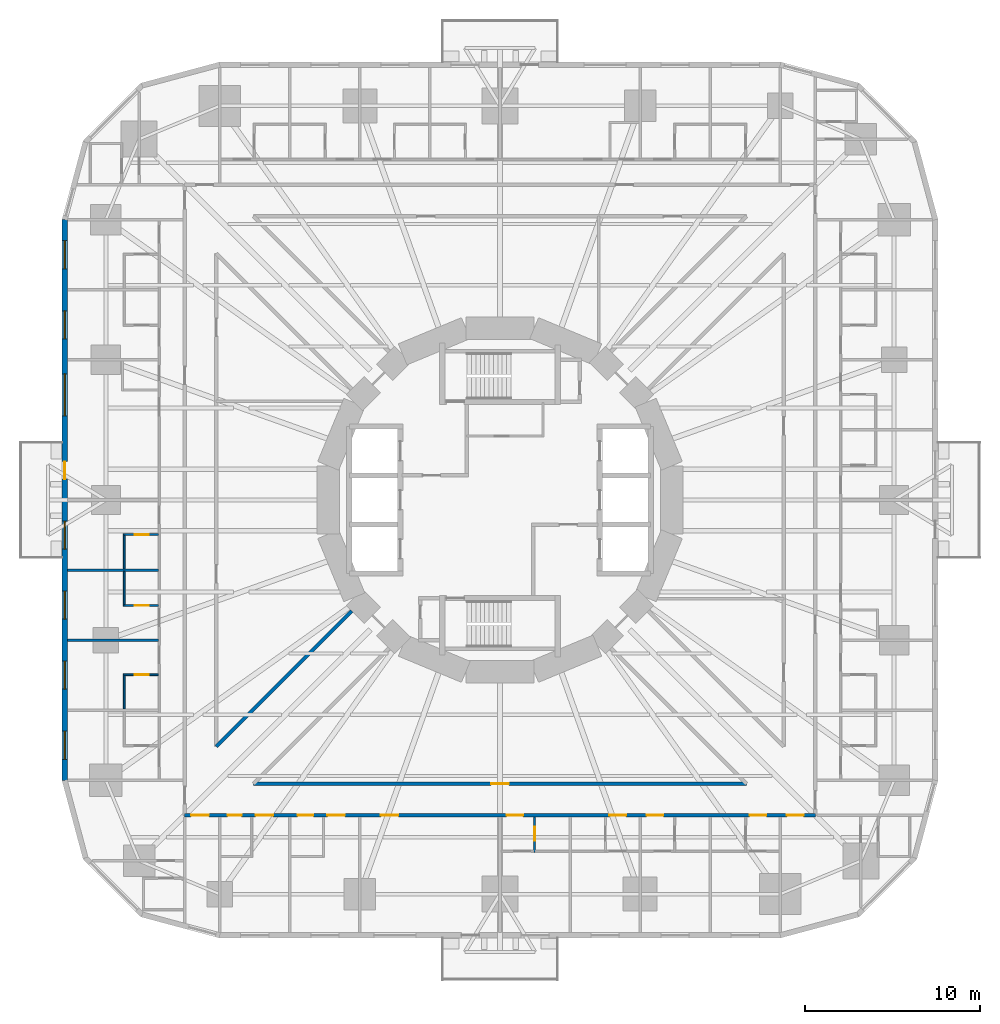
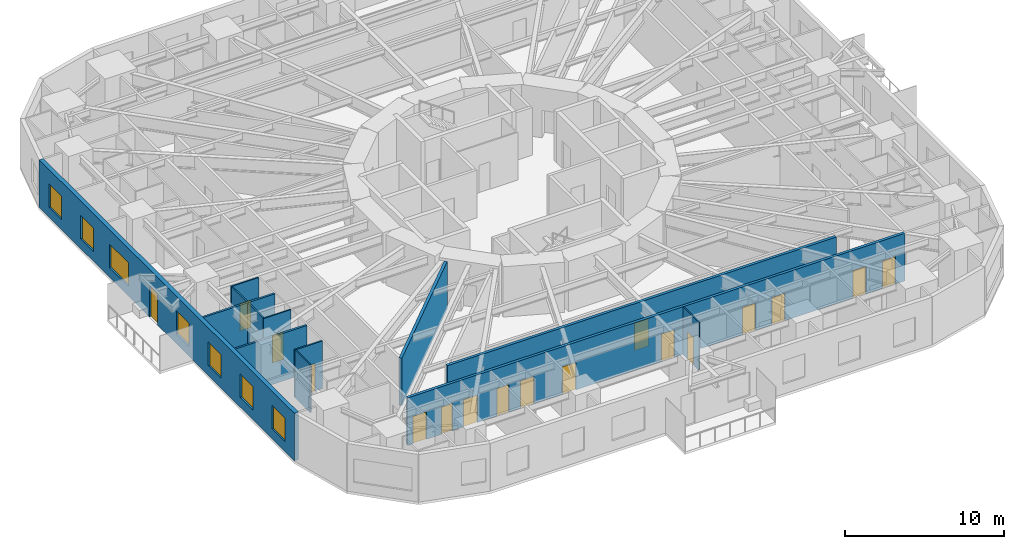
# One storey, part 5 of 14: 17 doors, 13 walls, 7 windows, 24 openings.
"""IFC4 building model written with IfcOpenShell, lengths in metres."""

from ifc_helpers import new_model, si_unit, direction, frame, frame_2d, origin, place, context, subcontext, project, spatial, rectangle, extrude, material, layer, layer_set, type_object, element, fill, save


model = new_model("IFC4")

# Units and contexts
model_context = context("Model", 3, precision=1e-05, world=origin(), true_north=direction((0.0, 1.0)))
body_context = subcontext(model_context, "Body", "Model", "MODEL_VIEW")
ifc_project = project(units=[si_unit("LENGTHUNIT", "METRE"), si_unit("AREAUNIT", "SQUARE_METRE"), si_unit("VOLUMEUNIT", "CUBIC_METRE"), si_unit("PLANEANGLEUNIT", "RADIAN"), si_unit("MASSUNIT", "GRAM", prefix="KILO")], contexts=[model_context])

# Site, building, storey
site_placement = place(None, origin())
site = spatial("IfcSite", under=ifc_project, at=site_placement, CompositionType="ELEMENT")
building_placement = place(site_placement, origin())
building = spatial("IfcBuilding", under=site, at=building_placement, Name="Nakasero Lantern House", CompositionType="ELEMENT")
storey_placement = place(building_placement, frame((0.0, 0.0, 35.25)))
storey = spatial("IfcBuildingStorey", under=building, at=storey_placement, Name="L08", CompositionType="ELEMENT", Elevation=35.25)

# Wall, openings, doors
ifc_material_1 = material(Name="Blockwork", Category="masonry")
ifc_layer_1 = layer(ifc_material_1, 0.199951171875)
ifc_layer_set_1 = layer_set([ifc_layer_1], Name="Corridor wall 200")
wall_type_1 = type_object("IfcWallType", Name="Corridor wall 200", PredefinedType="PARTITIONING", material=ifc_layer_set_1)
wall_1_placement = place(storey_placement, frame((-18.0, -18.0, 0.0), z_axis=(0.0, 0.0, 1.0), x_axis=(1.0, 0.0, 0.0)))
wall_1 = element("IfcWall", 1, at=wall_1_placement, inside=storey, type_object=wall_type_1, Name="Corridor wall L08 CW3", PredefinedType="PARTITIONING", context=body_context, shape_type="SweptSolid", body=[
    extrude(rectangle(XDim=36.0, YDim=0.199951171875, at=frame_2d((18.0, 0.0))), origin(), (0.0, 0.0, 1.0), 3.64990234375),
])
opening_1_placement = place(wall_1_placement, frame((0.375, 0.0, 0.0)))
opening_1 = element("IfcOpeningElement", 2, at=opening_1_placement, cuts=wall_1, Name="Opening D07", PredefinedType="OPENING", context=body_context, shape_type="SweptSolid", body=[
    extrude(rectangle(XDim=1.0, YDim=2.10009765625, at=frame_2d((0.5, 1.050048828125))), frame((0.0, 0.119873046875, 0.0), z_axis=(0.0, -1.0, 0.0), x_axis=(1.0, 0.0, 0.0)), (0.0, 0.0, 1.0), 0.239990234375),
])
opening_2_placement = place(wall_1_placement, frame((2.449951171875, 0.0, 0.0)))
opening_2 = element("IfcOpeningElement", 3, at=opening_2_placement, cuts=wall_1, Name="Opening D15", PredefinedType="OPENING", context=body_context, shape_type="SweptSolid", body=[
    extrude(rectangle(XDim=0.800048828125, YDim=2.10009765625, at=frame_2d((0.39990234375, 1.050048828125))), frame((0.0, 0.119873046875, 0.0), z_axis=(0.0, -1.0, 0.0), x_axis=(1.0, 0.0, 0.0)), (0.0, 0.0, 1.0), 0.239990234375),
])
opening_3_placement = place(wall_1_placement, frame((4.050048828125, 0.0, 0.0)))
opening_3 = element("IfcOpeningElement", 4, at=opening_3_placement, cuts=wall_1, Name="Opening D07", PredefinedType="OPENING", context=body_context, shape_type="SweptSolid", body=[
    extrude(rectangle(XDim=1.0, YDim=2.10009765625, at=frame_2d((0.5, 1.050048828125))), frame((0.0, 0.119873046875, 0.0), z_axis=(0.0, -1.0, 0.0), x_axis=(1.0, 0.0, 0.0)), (0.0, 0.0, 1.0), 0.239990234375),
])
opening_4_placement = place(wall_1_placement, frame((6.449951171875, 0.0, 0.0)))
opening_4 = element("IfcOpeningElement", 5, at=opening_4_placement, cuts=wall_1, Name="Opening D16", PredefinedType="OPENING", context=body_context, shape_type="SweptSolid", body=[
    extrude(rectangle(XDim=0.89990234375, YDim=2.10009765625, at=frame_2d((0.449951171875, 1.050048828125))), frame((0.0, 0.119873046875, 0.0), z_axis=(0.0, -1.0, 0.0), x_axis=(1.0, 0.0, 0.0)), (0.0, 0.0, 1.0), 0.239990234375),
])
opening_5_placement = place(wall_1_placement, frame((8.14990234375, 0.0, 0.0)))
opening_5 = element("IfcOpeningElement", 6, at=opening_5_placement, cuts=wall_1, Name="Opening D07", PredefinedType="OPENING", context=body_context, shape_type="SweptSolid", body=[
    extrude(rectangle(XDim=1.0, YDim=2.10009765625, at=frame_2d((0.5, 1.050048828125))), frame((0.0, 0.119873046875, 0.0), z_axis=(0.0, -1.0, 0.0), x_axis=(1.0, 0.0, 0.0)), (0.0, 0.0, 1.0), 0.239990234375),
])
opening_6_placement = place(wall_1_placement, frame((18.375, 0.0, 0.0)))
opening_6 = element("IfcOpeningElement", 7, at=opening_6_placement, cuts=wall_1, Name="Opening D01", PredefinedType="OPENING", context=body_context, shape_type="SweptSolid", body=[
    extrude(rectangle(XDim=0.949951171875, YDim=2.10009765625, at=frame_2d((0.47509765625, 1.050048828125))), frame((0.0, 0.119873046875, 0.0), z_axis=(0.0, -1.0, 0.0), x_axis=(1.0, 0.0, 0.0)), (0.0, 0.0, 1.0), 0.239990234375),
])
opening_7_placement = place(wall_1_placement, frame((24.25, 0.0, 0.0)))
opening_7 = element("IfcOpeningElement", 8, at=opening_7_placement, cuts=wall_1, Name="Opening D01", PredefinedType="OPENING", context=body_context, shape_type="SweptSolid", body=[
    extrude(rectangle(XDim=0.949951171875, YDim=2.10009765625, at=frame_2d((0.47509765625, 1.050048828125))), frame((0.0, 0.119873046875, 0.0), z_axis=(0.0, -1.0, 0.0), x_axis=(1.0, 0.0, 0.0)), (0.0, 0.0, 1.0), 0.239990234375),
])
opening_8_placement = place(wall_1_placement, frame((26.375, 0.0, 0.0)))
opening_8 = element("IfcOpeningElement", 9, at=opening_8_placement, cuts=wall_1, Name="Opening D01", PredefinedType="OPENING", context=body_context, shape_type="SweptSolid", body=[
    extrude(rectangle(XDim=0.949951171875, YDim=2.10009765625, at=frame_2d((0.47509765625, 1.050048828125))), frame((0.0, 0.119873046875, 0.0), z_axis=(0.0, -1.0, 0.0), x_axis=(1.0, 0.0, 0.0)), (0.0, 0.0, 1.0), 0.239990234375),
])
opening_9_placement = place(wall_1_placement, frame((32.25, 0.0, 0.0)))
opening_9 = element("IfcOpeningElement", 10, at=opening_9_placement, cuts=wall_1, Name="Opening D01", PredefinedType="OPENING", context=body_context, shape_type="SweptSolid", body=[
    extrude(rectangle(XDim=0.949951171875, YDim=2.10009765625, at=frame_2d((0.47509765625, 1.050048828125))), frame((0.0, 0.119873046875, 0.0), z_axis=(0.0, -1.0, 0.0), x_axis=(1.0, 0.0, 0.0)), (0.0, 0.0, 1.0), 0.239990234375),
])
opening_10_placement = place(wall_1_placement, frame((34.375, 0.0, 0.0)))
opening_10 = element("IfcOpeningElement", 11, at=opening_10_placement, cuts=wall_1, Name="Opening D01", PredefinedType="OPENING", context=body_context, shape_type="SweptSolid", body=[
    extrude(rectangle(XDim=0.949951171875, YDim=2.10009765625, at=frame_2d((0.47509765625, 1.050048828125))), frame((0.0, 0.119873046875, 0.0), z_axis=(0.0, -1.0, 0.0), x_axis=(1.0, 0.0, 0.0)), (0.0, 0.0, 1.0), 0.239990234375),
])
opening_11_placement = place(wall_1_placement, frame((11.199951171875, 0.0, 0.0)))
opening_11 = element("IfcOpeningElement", 12, at=opening_11_placement, cuts=wall_1, Name="Opening D03", PredefinedType="OPENING", context=body_context, shape_type="SweptSolid", body=[
    extrude(rectangle(XDim=1.0, YDim=2.10009765625, at=frame_2d((0.5, 1.050048828125))), frame((0.0, 0.119873046875, 0.0), z_axis=(0.0, -1.0, 0.0), x_axis=(1.0, 0.0, 0.0)), (0.0, 0.0, 1.0), 0.239990234375),
])
ifc_material_2 = material(Name="Timber C24", Category="wood")
door_type_1 = type_object("IfcDoorType", Name="Accessible WC door 900", OperationType="SINGLE_SWING_RIGHT", PredefinedType="DOOR", material=ifc_material_2)
door_1_placement = place(opening_4_placement, origin())
door_1 = element("IfcDoor", 13, at=door_1_placement, inside=storey, type_object=door_type_1, Name="Door L08 DS3-02", OperationType="SINGLE_SWING_LEFT", OverallHeight=2.10009765625, OverallWidth=0.89990234375, PredefinedType="DOOR", context=body_context, shape_type="SweptSolid", body=[
    extrude(rectangle(XDim=0.89990234375, YDim=2.10009765625, at=frame_2d((0.449951171875, 1.050048828125))), frame((0.0, 0.02490234375, 0.0), z_axis=(0.0, -1.0, 0.0), x_axis=(1.0, 0.0, 0.0)), (0.0, 0.0, 1.0), 0.050048828125),
])
fill(opening_4, door_1)
ifc_material_3 = material(Name="Timber C24", Category="wood")
door_type_2 = type_object("IfcDoorType", Name="Bedroom door FD30S 950", OperationType="SINGLE_SWING_LEFT", PredefinedType="DOOR", material=ifc_material_3)
door_2_placement = place(opening_6_placement, origin())
door_2 = element("IfcDoor", 14, at=door_2_placement, inside=storey, type_object=door_type_2, Name="Door L08 D3-05", OperationType="SINGLE_SWING_RIGHT", OverallHeight=2.10009765625, OverallWidth=0.949951171875, PredefinedType="DOOR", context=body_context, shape_type="SweptSolid", body=[
    extrude(rectangle(XDim=0.949951171875, YDim=2.10009765625, at=frame_2d((0.47509765625, 1.050048828125))), frame((0.0, 0.02490234375, 0.0), z_axis=(0.0, -1.0, 0.0), x_axis=(1.0, 0.0, 0.0)), (0.0, 0.0, 1.0), 0.050048828125),
])
fill(opening_6, door_2)
door_3_placement = place(opening_7_placement, origin())
door_3 = element("IfcDoor", 15, at=door_3_placement, inside=storey, type_object=door_type_2, Name="Door L08 D3-06", OperationType="SINGLE_SWING_RIGHT", OverallHeight=2.10009765625, OverallWidth=0.949951171875, PredefinedType="DOOR", context=body_context, shape_type="SweptSolid", body=[
    extrude(rectangle(XDim=0.949951171875, YDim=2.10009765625, at=frame_2d((0.47509765625, 1.050048828125))), frame((0.0, 0.02490234375, 0.0), z_axis=(0.0, -1.0, 0.0), x_axis=(1.0, 0.0, 0.0)), (0.0, 0.0, 1.0), 0.050048828125),
])
fill(opening_7, door_3)
door_4_placement = place(opening_8_placement, origin())
door_4 = element("IfcDoor", 16, at=door_4_placement, inside=storey, type_object=door_type_2, Name="Door L08 D3-07", OperationType="SINGLE_SWING_RIGHT", OverallHeight=2.10009765625, OverallWidth=0.949951171875, PredefinedType="DOOR", context=body_context, shape_type="SweptSolid", body=[
    extrude(rectangle(XDim=0.949951171875, YDim=2.10009765625, at=frame_2d((0.47509765625, 1.050048828125))), frame((0.0, 0.02490234375, 0.0), z_axis=(0.0, -1.0, 0.0), x_axis=(1.0, 0.0, 0.0)), (0.0, 0.0, 1.0), 0.050048828125),
])
fill(opening_8, door_4)
door_5_placement = place(opening_9_placement, origin())
door_5 = element("IfcDoor", 17, at=door_5_placement, inside=storey, type_object=door_type_2, Name="Door L08 D3-08", OperationType="SINGLE_SWING_RIGHT", OverallHeight=2.10009765625, OverallWidth=0.949951171875, PredefinedType="DOOR", context=body_context, shape_type="SweptSolid", body=[
    extrude(rectangle(XDim=0.949951171875, YDim=2.10009765625, at=frame_2d((0.47509765625, 1.050048828125))), frame((0.0, 0.02490234375, 0.0), z_axis=(0.0, -1.0, 0.0), x_axis=(1.0, 0.0, 0.0)), (0.0, 0.0, 1.0), 0.050048828125),
])
fill(opening_9, door_5)
door_6_placement = place(opening_10_placement, origin())
door_6 = element("IfcDoor", 18, at=door_6_placement, inside=storey, type_object=door_type_2, Name="Door L08 D3-09", OperationType="SINGLE_SWING_RIGHT", OverallHeight=2.10009765625, OverallWidth=0.949951171875, PredefinedType="DOOR", context=body_context, shape_type="SweptSolid", body=[
    extrude(rectangle(XDim=0.949951171875, YDim=2.10009765625, at=frame_2d((0.47509765625, 1.050048828125))), frame((0.0, 0.02490234375, 0.0), z_axis=(0.0, -1.0, 0.0), x_axis=(1.0, 0.0, 0.0)), (0.0, 0.0, 1.0), 0.050048828125),
])
fill(opening_10, door_6)
ifc_material_4 = material(Name="Timber C24", Category="wood")
door_type_3 = type_object("IfcDoorType", Name="Cleaner's store door FD30S 800", OperationType="SINGLE_SWING_LEFT", PredefinedType="DOOR", material=ifc_material_4)
door_7_placement = place(opening_2_placement, origin())
door_7 = element("IfcDoor", 19, at=door_7_placement, inside=storey, type_object=door_type_3, Name="Door L08 DS3-01", OperationType="SINGLE_SWING_LEFT", OverallHeight=2.10009765625, OverallWidth=0.800048828125, PredefinedType="DOOR", context=body_context, shape_type="SweptSolid", body=[
    extrude(rectangle(XDim=0.800048828125, YDim=2.10009765625, at=frame_2d((0.39990234375, 1.050048828125))), frame((0.0, 0.02490234375, 0.0), z_axis=(0.0, -1.0, 0.0), x_axis=(1.0, 0.0, 0.0)), (0.0, 0.0, 1.0), 0.050048828125),
])
fill(opening_2, door_7)
ifc_material_5 = material(Name="Timber C24", Category="wood")
door_type_4 = type_object("IfcDoorType", Name="Lounge door FD30S 1000", OperationType="SINGLE_SWING_LEFT", PredefinedType="DOOR", material=ifc_material_5)
door_8_placement = place(opening_11_placement, origin())
door_8 = element("IfcDoor", 20, at=door_8_placement, inside=storey, type_object=door_type_4, Name="Door L08 DK3", OperationType="SINGLE_SWING_LEFT", OverallHeight=2.10009765625, OverallWidth=1.0, PredefinedType="DOOR", context=body_context, shape_type="SweptSolid", body=[
    extrude(rectangle(XDim=1.0, YDim=2.10009765625, at=frame_2d((0.5, 1.050048828125))), frame((0.0, 0.02490234375, 0.0), z_axis=(0.0, -1.0, 0.0), x_axis=(1.0, 0.0, 0.0)), (0.0, 0.0, 1.0), 0.050048828125),
])
fill(opening_11, door_8)
ifc_material_6 = material(Name="Timber C24", Category="wood")
door_type_5 = type_object("IfcDoorType", Name="Room door FD30S 1000", OperationType="SINGLE_SWING_LEFT", PredefinedType="DOOR", material=ifc_material_6)
door_9_placement = place(opening_1_placement, origin())
door_9 = element("IfcDoor", 21, at=door_9_placement, inside=storey, type_object=door_type_5, Name="Door L08 D3-00", OperationType="SINGLE_SWING_LEFT", OverallHeight=2.10009765625, OverallWidth=1.0, PredefinedType="DOOR", context=body_context, shape_type="SweptSolid", body=[
    extrude(rectangle(XDim=1.0, YDim=2.10009765625, at=frame_2d((0.5, 1.050048828125))), frame((0.0, 0.02490234375, 0.0), z_axis=(0.0, -1.0, 0.0), x_axis=(1.0, 0.0, 0.0)), (0.0, 0.0, 1.0), 0.050048828125),
])
fill(opening_1, door_9)
door_10_placement = place(opening_3_placement, origin())
door_10 = element("IfcDoor", 22, at=door_10_placement, inside=storey, type_object=door_type_5, Name="Door L08 D3-01", OperationType="SINGLE_SWING_LEFT", OverallHeight=2.10009765625, OverallWidth=1.0, PredefinedType="DOOR", context=body_context, shape_type="SweptSolid", body=[
    extrude(rectangle(XDim=1.0, YDim=2.10009765625, at=frame_2d((0.5, 1.050048828125))), frame((0.0, 0.02490234375, 0.0), z_axis=(0.0, -1.0, 0.0), x_axis=(1.0, 0.0, 0.0)), (0.0, 0.0, 1.0), 0.050048828125),
])
fill(opening_3, door_10)
door_11_placement = place(opening_5_placement, origin())
door_11 = element("IfcDoor", 23, at=door_11_placement, inside=storey, type_object=door_type_5, Name="Door L08 D3-02", OperationType="SINGLE_SWING_LEFT", OverallHeight=2.10009765625, OverallWidth=1.0, PredefinedType="DOOR", context=body_context, shape_type="SweptSolid", body=[
    extrude(rectangle(XDim=1.0, YDim=2.10009765625, at=frame_2d((0.5, 1.050048828125))), frame((0.0, 0.02490234375, 0.0), z_axis=(0.0, -1.0, 0.0), x_axis=(1.0, 0.0, 0.0)), (0.0, 0.0, 1.0), 0.050048828125),
])
fill(opening_5, door_11)

# Wall, opening, door
wall_2_placement = place(storey_placement, frame((-14.07861328125, -16.199951171875, 0.0), z_axis=(0.0, 0.0, 1.0), x_axis=(1.0, 0.0, 0.0)))
wall_2 = element("IfcWall", 24, at=wall_2_placement, inside=storey, type_object=wall_type_1, Name="Corridor wall L08 IW3-0", PredefinedType="PARTITIONING", context=body_context, shape_type="SweptSolid", body=[
    extrude(rectangle(XDim=28.1572265625, YDim=0.199951171875, at=frame_2d((14.07861328125, 0.0))), origin(), (0.0, 0.0, 1.0), 3.64990234375),
])
opening_12_placement = place(wall_2_placement, frame((13.57861328125, 0.0, 0.0)))
opening_12 = element("IfcOpeningElement", 25, at=opening_12_placement, cuts=wall_2, Name="Opening D07", PredefinedType="OPENING", context=body_context, shape_type="SweptSolid", body=[
    extrude(rectangle(XDim=1.0, YDim=2.10009765625, at=frame_2d((0.5, 1.050048828125))), frame((0.0, 0.119873046875, 0.0), z_axis=(0.0, -1.0, 0.0), x_axis=(1.0, 0.0, 0.0)), (0.0, 0.0, 1.0), 0.239990234375),
])
door_12_placement = place(opening_12_placement, origin())
door_12 = element("IfcDoor", 26, at=door_12_placement, inside=storey, type_object=door_type_5, Name="Door L08 DI3", OperationType="SINGLE_SWING_LEFT", OverallHeight=2.10009765625, OverallWidth=1.0, PredefinedType="DOOR", context=body_context, shape_type="SweptSolid", body=[
    extrude(rectangle(XDim=1.0, YDim=2.10009765625, at=frame_2d((0.5, 1.050048828125))), frame((0.0, 0.02490234375, 0.0), z_axis=(0.0, -1.0, 0.0), x_axis=(1.0, 0.0, 0.0)), (0.0, 0.0, 1.0), 0.050048828125),
])
fill(opening_12, door_12)

# Wall
wall_3_placement = place(storey_placement, frame((-8.45556640625, -6.334228515625, 0.0), z_axis=(0.0, 0.0, 1.0), x_axis=(-0.707106781187, -0.707106781187, 0.0)))
element("IfcWall", 27, at=wall_3_placement, inside=storey, type_object=wall_type_1, Name="Corridor wall L08 PS10b", PredefinedType="PARTITIONING", context=body_context, shape_type="SweptSolid", body=[
    extrude(rectangle(XDim=10.9521484375, YDim=0.199951171875, at=frame_2d((5.47607421875, 0.0))), origin(), (0.0, 0.0, 1.0), 3.64990234375),
])

# Wall, opening, door
ifc_material_7 = material(Name="Blockwork", Category="masonry")
ifc_layer_2 = layer(ifc_material_7, 0.10009765625)
ifc_layer_set_2 = layer_set([ifc_layer_2], Name="En-suite wall 100")
wall_type_2 = type_object("IfcWallType", Name="En-suite wall 100", PredefinedType="PARTITIONING", material=ifc_layer_set_2)
wall_4_placement = place(storey_placement, frame((-19.5, -1.97509765625, 0.0), z_axis=(0.0, 0.0, 1.0), x_axis=(-1.0, 0.0, 0.0)))
wall_4 = element("IfcWall", 28, at=wall_4_placement, inside=storey, type_object=wall_type_2, Name="En-suite wall L08 ES2-05", PredefinedType="PARTITIONING", context=body_context, shape_type="SweptSolid", body=[
    extrude(rectangle(XDim=2.0, YDim=0.10009765625, at=frame_2d((1.0, 0.0))), origin(), (0.0, 0.0, 1.0), 3.64990234375),
])
opening_13_placement = place(wall_4_placement, frame((0.550048828125, 0.0, 0.0)))
opening_13 = element("IfcOpeningElement", 29, at=opening_13_placement, cuts=wall_4, Name="Opening D02", PredefinedType="OPENING", context=body_context, shape_type="SweptSolid", body=[
    extrude(rectangle(XDim=0.800048828125, YDim=2.10009765625, at=frame_2d((0.39990234375, 1.050048828125))), frame((0.0, 0.070068359375, 0.0), z_axis=(0.0, -1.0, 0.0), x_axis=(1.0, 0.0, 0.0)), (0.0, 0.0, 1.0), 0.14013671875),
])
ifc_material_8 = material(Name="Timber C24", Category="wood")
door_type_6 = type_object("IfcDoorType", Name="En-suite door 800", OperationType="SINGLE_SWING_RIGHT", PredefinedType="DOOR", material=ifc_material_8)
door_13_placement = place(opening_13_placement, origin())
door_13 = element("IfcDoor", 30, at=door_13_placement, inside=storey, type_object=door_type_6, Name="Door L08 DE2-05", OperationType="SINGLE_SWING_LEFT", OverallHeight=2.10009765625, OverallWidth=0.800048828125, PredefinedType="DOOR", context=body_context, shape_type="SweptSolid", body=[
    extrude(rectangle(XDim=0.800048828125, YDim=2.10009765625, at=frame_2d((0.39990234375, 1.050048828125))), frame((0.0, 0.02490234375, 0.0), z_axis=(0.0, -1.0, 0.0), x_axis=(1.0, 0.0, 0.0)), (0.0, 0.0, 1.0), 0.050048828125),
])
fill(opening_13, door_13)

# Wall
wall_5_placement = place(storey_placement, frame((-21.449951171875, -2.02490234375, 0.0), z_axis=(0.0, 0.0, 1.0), x_axis=(0.0, -1.0, 0.0)))
element("IfcWall", 31, at=wall_5_placement, inside=storey, type_object=wall_type_2, Name="En-suite wall L08 EE2-05", PredefinedType="PARTITIONING", context=body_context, shape_type="SweptSolid", body=[
    extrude(rectangle(XDim=1.900146484375, YDim=0.10009765625, at=frame_2d((0.9501953125, 0.0))), origin(), (0.0, 0.0, 1.0), 3.64990234375),
])

# Wall, opening, door
wall_6_placement = place(storey_placement, frame((-19.5, -6.02490234375, 0.0), z_axis=(0.0, 0.0, 1.0), x_axis=(-1.0, 0.0, 0.0)))
wall_6 = element("IfcWall", 32, at=wall_6_placement, inside=storey, type_object=wall_type_2, Name="En-suite wall L08 ES2-06", PredefinedType="PARTITIONING", context=body_context, shape_type="SweptSolid", body=[
    extrude(rectangle(XDim=2.0, YDim=0.10009765625, at=frame_2d((1.0, 0.0))), origin(), (0.0, 0.0, 1.0), 3.64990234375),
])
opening_14_placement = place(wall_6_placement, frame((0.550048828125, 0.0, 0.0)))
opening_14 = element("IfcOpeningElement", 33, at=opening_14_placement, cuts=wall_6, Name="Opening D02", PredefinedType="OPENING", context=body_context, shape_type="SweptSolid", body=[
    extrude(rectangle(XDim=0.800048828125, YDim=2.10009765625, at=frame_2d((0.39990234375, 1.050048828125))), frame((0.0, 0.070068359375, 0.0), z_axis=(0.0, -1.0, 0.0), x_axis=(1.0, 0.0, 0.0)), (0.0, 0.0, 1.0), 0.14013671875),
])
door_14_placement = place(opening_14_placement, origin())
door_14 = element("IfcDoor", 34, at=door_14_placement, inside=storey, type_object=door_type_6, Name="Door L08 DE2-06", OperationType="SINGLE_SWING_LEFT", OverallHeight=2.10009765625, OverallWidth=0.800048828125, PredefinedType="DOOR", context=body_context, shape_type="SweptSolid", body=[
    extrude(rectangle(XDim=0.800048828125, YDim=2.10009765625, at=frame_2d((0.39990234375, 1.050048828125))), frame((0.0, 0.02490234375, 0.0), z_axis=(0.0, -1.0, 0.0), x_axis=(1.0, 0.0, 0.0)), (0.0, 0.0, 1.0), 0.050048828125),
])
fill(opening_14, door_14)

# Wall
wall_7_placement = place(storey_placement, frame((-21.449951171875, -4.074951171875, 0.0), z_axis=(0.0, 0.0, 1.0), x_axis=(0.0, -1.0, 0.0)))
element("IfcWall", 35, at=wall_7_placement, inside=storey, type_object=wall_type_2, Name="En-suite wall L08 EE2-06", PredefinedType="PARTITIONING", context=body_context, shape_type="SweptSolid", body=[
    extrude(rectangle(XDim=1.900146484375, YDim=0.10009765625, at=frame_2d((0.9501953125, 0.0))), origin(), (0.0, 0.0, 1.0), 3.64990234375),
])

# Wall, opening, door
wall_8_placement = place(storey_placement, frame((-19.5, -9.97509765625, 0.0), z_axis=(0.0, 0.0, 1.0), x_axis=(-1.0, 0.0, 0.0)))
wall_8 = element("IfcWall", 36, at=wall_8_placement, inside=storey, type_object=wall_type_2, Name="En-suite wall L08 ES2-07", PredefinedType="PARTITIONING", context=body_context, shape_type="SweptSolid", body=[
    extrude(rectangle(XDim=2.0, YDim=0.10009765625, at=frame_2d((1.0, 0.0))), origin(), (0.0, 0.0, 1.0), 3.64990234375),
])
opening_15_placement = place(wall_8_placement, frame((0.550048828125, 0.0, 0.0)))
opening_15 = element("IfcOpeningElement", 37, at=opening_15_placement, cuts=wall_8, Name="Opening D02", PredefinedType="OPENING", context=body_context, shape_type="SweptSolid", body=[
    extrude(rectangle(XDim=0.800048828125, YDim=2.10009765625, at=frame_2d((0.39990234375, 1.050048828125))), frame((0.0, 0.070068359375, 0.0), z_axis=(0.0, -1.0, 0.0), x_axis=(1.0, 0.0, 0.0)), (0.0, 0.0, 1.0), 0.14013671875),
])
door_15_placement = place(opening_15_placement, origin())
door_15 = element("IfcDoor", 38, at=door_15_placement, inside=storey, type_object=door_type_6, Name="Door L08 DE2-07", OperationType="SINGLE_SWING_LEFT", OverallHeight=2.10009765625, OverallWidth=0.800048828125, PredefinedType="DOOR", context=body_context, shape_type="SweptSolid", body=[
    extrude(rectangle(XDim=0.800048828125, YDim=2.10009765625, at=frame_2d((0.39990234375, 1.050048828125))), frame((0.0, 0.02490234375, 0.0), z_axis=(0.0, -1.0, 0.0), x_axis=(1.0, 0.0, 0.0)), (0.0, 0.0, 1.0), 0.050048828125),
])
fill(opening_15, door_15)

# Wall
wall_9_placement = place(storey_placement, frame((-21.449951171875, -10.02490234375, 0.0), z_axis=(0.0, 0.0, 1.0), x_axis=(0.0, -1.0, 0.0)))
element("IfcWall", 39, at=wall_9_placement, inside=storey, type_object=wall_type_2, Name="En-suite wall L08 EE2-07", PredefinedType="PARTITIONING", context=body_context, shape_type="SweptSolid", body=[
    extrude(rectangle(XDim=1.900146484375, YDim=0.10009765625, at=frame_2d((0.9501953125, 0.0))), origin(), (0.0, 0.0, 1.0), 3.64990234375),
])

# Wall, opening, door
wall_10_placement = place(storey_placement, frame((1.97509765625, -18.10009765625, 0.0), z_axis=(0.0, 0.0, 1.0), x_axis=(0.0, -1.0, 0.0)))
wall_10 = element("IfcWall", 40, at=wall_10_placement, inside=storey, type_object=wall_type_2, Name="En-suite wall L08 ES3-05", PredefinedType="PARTITIONING", context=body_context, shape_type="SweptSolid", body=[
    extrude(rectangle(XDim=2.0, YDim=0.10009765625, at=frame_2d((1.0, 0.0))), origin(), (0.0, 0.0, 1.0), 3.64990234375),
])
opening_16_placement = place(wall_10_placement, frame((0.550048828125, 0.0, 0.0)))
opening_16 = element("IfcOpeningElement", 41, at=opening_16_placement, cuts=wall_10, Name="Opening D02", PredefinedType="OPENING", context=body_context, shape_type="SweptSolid", body=[
    extrude(rectangle(XDim=0.800048828125, YDim=2.10009765625, at=frame_2d((0.39990234375, 1.050048828125))), frame((0.0, 0.070068359375, 0.0), z_axis=(0.0, -1.0, 0.0), x_axis=(1.0, 0.0, 0.0)), (0.0, 0.0, 1.0), 0.14013671875),
])
door_16_placement = place(opening_16_placement, origin())
door_16 = element("IfcDoor", 42, at=door_16_placement, inside=storey, type_object=door_type_6, Name="Door L08 DE3-05", OperationType="SINGLE_SWING_LEFT", OverallHeight=2.10009765625, OverallWidth=0.800048828125, PredefinedType="DOOR", context=body_context, shape_type="SweptSolid", body=[
    extrude(rectangle(XDim=0.800048828125, YDim=2.10009765625, at=frame_2d((0.39990234375, 1.050048828125))), frame((0.0, 0.02490234375, 0.0), z_axis=(0.0, -1.0, 0.0), x_axis=(1.0, 0.0, 0.0)), (0.0, 0.0, 1.0), 0.050048828125),
])
fill(opening_16, door_16)

# Wall, openings, door, windows
ifc_material_9 = material(Name="Aluminium rainscreen on blockwork", Category="masonry")
ifc_layer_3 = layer(ifc_material_9, 0.300048828125)
ifc_layer_set_3 = layer_set([ifc_layer_3], Name="Facade wall 300")
wall_type_3 = type_object("IfcWallType", Name="Facade wall 300", PredefinedType="SOLIDWALL", material=ifc_layer_set_3)
wall_11_placement = place(storey_placement, frame((-24.85009765625, 16.0, 0.0), z_axis=(0.0, 0.0, 1.0), x_axis=(0.0, -1.0, 0.0)))
wall_11 = element("IfcWall", 43, at=wall_11_placement, inside=storey, type_object=wall_type_3, Name="Facade wall L08 FW2S", PredefinedType="SOLIDWALL", context=body_context, shape_type="SweptSolid", body=[
    extrude(rectangle(XDim=32.0, YDim=0.300048828125, at=frame_2d((16.0, 0.0))), origin(), (0.0, 0.0, 1.0), 3.64990234375),
])
opening_17_placement = place(wall_11_placement, frame((1.199951171875, 0.0, 0.75)))
opening_17 = element("IfcOpeningElement", 44, at=opening_17_placement, cuts=wall_11, Name="Opening W01", PredefinedType="OPENING", context=body_context, shape_type="SweptSolid", body=[
    extrude(rectangle(XDim=1.60009765625, YDim=1.800048828125, at=frame_2d((0.800048828125, 0.89990234375))), frame((0.0, 0.169921875, 0.0), z_axis=(0.0, -1.0, 0.0), x_axis=(1.0, 0.0, 0.0)), (0.0, 0.0, 1.0), 0.340087890625),
])
opening_18_placement = place(wall_11_placement, frame((5.199951171875, 0.0, 0.75)))
opening_18 = element("IfcOpeningElement", 45, at=opening_18_placement, cuts=wall_11, Name="Opening W01", PredefinedType="OPENING", context=body_context, shape_type="SweptSolid", body=[
    extrude(rectangle(XDim=1.60009765625, YDim=1.800048828125, at=frame_2d((0.800048828125, 0.89990234375))), frame((0.0, 0.169921875, 0.0), z_axis=(0.0, -1.0, 0.0), x_axis=(1.0, 0.0, 0.0)), (0.0, 0.0, 1.0), 0.340087890625),
])
opening_19_placement = place(wall_11_placement, frame((17.199951171875, 0.0, 0.75)))
opening_19 = element("IfcOpeningElement", 46, at=opening_19_placement, cuts=wall_11, Name="Opening W01", PredefinedType="OPENING", context=body_context, shape_type="SweptSolid", body=[
    extrude(rectangle(XDim=1.60009765625, YDim=1.800048828125, at=frame_2d((0.800048828125, 0.89990234375))), frame((0.0, 0.169921875, 0.0), z_axis=(0.0, -1.0, 0.0), x_axis=(1.0, 0.0, 0.0)), (0.0, 0.0, 1.0), 0.340087890625),
])
opening_20_placement = place(wall_11_placement, frame((21.199951171875, 0.0, 0.75)))
opening_20 = element("IfcOpeningElement", 47, at=opening_20_placement, cuts=wall_11, Name="Opening W01", PredefinedType="OPENING", context=body_context, shape_type="SweptSolid", body=[
    extrude(rectangle(XDim=1.60009765625, YDim=1.800048828125, at=frame_2d((0.800048828125, 0.89990234375))), frame((0.0, 0.169921875, 0.0), z_axis=(0.0, -1.0, 0.0), x_axis=(1.0, 0.0, 0.0)), (0.0, 0.0, 1.0), 0.340087890625),
])
opening_21_placement = place(wall_11_placement, frame((25.199951171875, 0.0, 0.75)))
opening_21 = element("IfcOpeningElement", 48, at=opening_21_placement, cuts=wall_11, Name="Opening W01", PredefinedType="OPENING", context=body_context, shape_type="SweptSolid", body=[
    extrude(rectangle(XDim=1.60009765625, YDim=1.800048828125, at=frame_2d((0.800048828125, 0.89990234375))), frame((0.0, 0.169921875, 0.0), z_axis=(0.0, -1.0, 0.0), x_axis=(1.0, 0.0, 0.0)), (0.0, 0.0, 1.0), 0.340087890625),
])
opening_22_placement = place(wall_11_placement, frame((29.199951171875, 0.0, 0.75)))
opening_22 = element("IfcOpeningElement", 49, at=opening_22_placement, cuts=wall_11, Name="Opening W01", PredefinedType="OPENING", context=body_context, shape_type="SweptSolid", body=[
    extrude(rectangle(XDim=1.60009765625, YDim=1.800048828125, at=frame_2d((0.800048828125, 0.89990234375))), frame((0.0, 0.169921875, 0.0), z_axis=(0.0, -1.0, 0.0), x_axis=(1.0, 0.0, 0.0)), (0.0, 0.0, 1.0), 0.340087890625),
])
opening_23_placement = place(wall_11_placement, frame((8.800048828125, 0.0, 0.75)))
opening_23 = element("IfcOpeningElement", 50, at=opening_23_placement, cuts=wall_11, Name="Opening W03", PredefinedType="OPENING", context=body_context, shape_type="SweptSolid", body=[
    extrude(rectangle(XDim=2.39990234375, YDim=1.800048828125, at=frame_2d((1.199951171875, 0.89990234375))), frame((0.0, 0.169921875, 0.0), z_axis=(0.0, -1.0, 0.0), x_axis=(1.0, 0.0, 0.0)), (0.0, 0.0, 1.0), 0.340087890625),
])
opening_24_placement = place(wall_11_placement, frame((13.8125, 0.0, 0.0)))
opening_24 = element("IfcOpeningElement", 51, at=opening_24_placement, cuts=wall_11, Name="Opening D04", PredefinedType="OPENING", context=body_context, shape_type="SweptSolid", body=[
    extrude(rectangle(XDim=1.0, YDim=2.39990234375, at=frame_2d((0.5, 1.199951171875))), frame((0.0, 0.169921875, 0.0), z_axis=(0.0, -1.0, 0.0), x_axis=(1.0, 0.0, 0.0)), (0.0, 0.0, 1.0), 0.340087890625),
])
ifc_material_10 = material(Name="Aluminium 6063-T6 and glass", Category="aluminium")
door_type_7 = type_object("IfcDoorType", Name="Balcony door 1000x2400", OperationType="SINGLE_SWING_RIGHT", PredefinedType="DOOR", material=ifc_material_10)
door_17_placement = place(opening_24_placement, origin())
door_17 = element("IfcDoor", 52, at=door_17_placement, inside=storey, type_object=door_type_7, Name="Balcony door L08 DB2", OperationType="SINGLE_SWING_RIGHT", OverallHeight=2.39990234375, OverallWidth=1.0, PredefinedType="DOOR", context=body_context, shape_type="SweptSolid", body=[
    extrude(rectangle(XDim=1.0, YDim=2.39990234375, at=frame_2d((0.5, 1.199951171875))), frame((0.0, 0.02490234375, 0.0), z_axis=(0.0, -1.0, 0.0), x_axis=(1.0, 0.0, 0.0)), (0.0, 0.0, 1.0), 0.050048828125),
])
fill(opening_24, door_17)
ifc_material_11 = material(Name="Aluminium 6063-T6 and glass", Category="aluminium")
window_type_1 = type_object("IfcWindowType", Name="Bedroom window 1600x1800", PartitioningType="SINGLE_PANEL", PredefinedType="WINDOW", material=ifc_material_11)
window_1_placement = place(opening_17_placement, origin())
window_1 = element("IfcWindow", 53, at=window_1_placement, inside=storey, type_object=window_type_1, Name="Window L08 WN2-01", OverallHeight=1.800048828125, OverallWidth=1.60009765625, PartitioningType="SINGLE_PANEL", PredefinedType="WINDOW", context=body_context, shape_type="SweptSolid", body=[
    extrude(rectangle(XDim=1.60009765625, YDim=1.800048828125, at=frame_2d((0.800048828125, 0.89990234375))), frame((0.0, 0.030029296875, 0.0), z_axis=(0.0, -1.0, 0.0), x_axis=(1.0, 0.0, 0.0)), (0.0, 0.0, 1.0), 0.06005859375),
])
fill(opening_17, window_1)
window_2_placement = place(opening_18_placement, origin())
window_2 = element("IfcWindow", 54, at=window_2_placement, inside=storey, type_object=window_type_1, Name="Window L08 WN2-02", OverallHeight=1.800048828125, OverallWidth=1.60009765625, PartitioningType="SINGLE_PANEL", PredefinedType="WINDOW", context=body_context, shape_type="SweptSolid", body=[
    extrude(rectangle(XDim=1.60009765625, YDim=1.800048828125, at=frame_2d((0.800048828125, 0.89990234375))), frame((0.0, 0.030029296875, 0.0), z_axis=(0.0, -1.0, 0.0), x_axis=(1.0, 0.0, 0.0)), (0.0, 0.0, 1.0), 0.06005859375),
])
fill(opening_18, window_2)
window_3_placement = place(opening_19_placement, origin())
window_3 = element("IfcWindow", 55, at=window_3_placement, inside=storey, type_object=window_type_1, Name="Window L08 WN2-05", OverallHeight=1.800048828125, OverallWidth=1.60009765625, PartitioningType="SINGLE_PANEL", PredefinedType="WINDOW", context=body_context, shape_type="SweptSolid", body=[
    extrude(rectangle(XDim=1.60009765625, YDim=1.800048828125, at=frame_2d((0.800048828125, 0.89990234375))), frame((0.0, 0.030029296875, 0.0), z_axis=(0.0, -1.0, 0.0), x_axis=(1.0, 0.0, 0.0)), (0.0, 0.0, 1.0), 0.06005859375),
])
fill(opening_19, window_3)
window_4_placement = place(opening_20_placement, origin())
window_4 = element("IfcWindow", 56, at=window_4_placement, inside=storey, type_object=window_type_1, Name="Window L08 WN2-06", OverallHeight=1.800048828125, OverallWidth=1.60009765625, PartitioningType="SINGLE_PANEL", PredefinedType="WINDOW", context=body_context, shape_type="SweptSolid", body=[
    extrude(rectangle(XDim=1.60009765625, YDim=1.800048828125, at=frame_2d((0.800048828125, 0.89990234375))), frame((0.0, 0.030029296875, 0.0), z_axis=(0.0, -1.0, 0.0), x_axis=(1.0, 0.0, 0.0)), (0.0, 0.0, 1.0), 0.06005859375),
])
fill(opening_20, window_4)
window_5_placement = place(opening_21_placement, origin())
window_5 = element("IfcWindow", 57, at=window_5_placement, inside=storey, type_object=window_type_1, Name="Window L08 WN2-07", OverallHeight=1.800048828125, OverallWidth=1.60009765625, PartitioningType="SINGLE_PANEL", PredefinedType="WINDOW", context=body_context, shape_type="SweptSolid", body=[
    extrude(rectangle(XDim=1.60009765625, YDim=1.800048828125, at=frame_2d((0.800048828125, 0.89990234375))), frame((0.0, 0.030029296875, 0.0), z_axis=(0.0, -1.0, 0.0), x_axis=(1.0, 0.0, 0.0)), (0.0, 0.0, 1.0), 0.06005859375),
])
fill(opening_21, window_5)
window_6_placement = place(opening_22_placement, origin())
window_6 = element("IfcWindow", 58, at=window_6_placement, inside=storey, type_object=window_type_1, Name="Window L08 WN2-08", OverallHeight=1.800048828125, OverallWidth=1.60009765625, PartitioningType="SINGLE_PANEL", PredefinedType="WINDOW", context=body_context, shape_type="SweptSolid", body=[
    extrude(rectangle(XDim=1.60009765625, YDim=1.800048828125, at=frame_2d((0.800048828125, 0.89990234375))), frame((0.0, 0.030029296875, 0.0), z_axis=(0.0, -1.0, 0.0), x_axis=(1.0, 0.0, 0.0)), (0.0, 0.0, 1.0), 0.06005859375),
])
fill(opening_22, window_6)
ifc_material_12 = material(Name="Aluminium 6063-T6 and glass", Category="aluminium")
window_type_2 = type_object("IfcWindowType", Name="Lounge window 2400x1800", PartitioningType="SINGLE_PANEL", PredefinedType="WINDOW", material=ifc_material_12)
window_7_placement = place(opening_23_placement, origin())
window_7 = element("IfcWindow", 59, at=window_7_placement, inside=storey, type_object=window_type_2, Name="Window L08 WK2", OverallHeight=1.800048828125, OverallWidth=2.39990234375, PartitioningType="SINGLE_PANEL", PredefinedType="WINDOW", context=body_context, shape_type="SweptSolid", body=[
    extrude(rectangle(XDim=2.39990234375, YDim=1.800048828125, at=frame_2d((1.199951171875, 0.89990234375))), frame((0.0, 0.030029296875, 0.0), z_axis=(0.0, -1.0, 0.0), x_axis=(1.0, 0.0, 0.0)), (0.0, 0.0, 1.0), 0.06005859375),
])
fill(opening_23, window_7)

# Walls
ifc_material_13 = material(Name="Blockwork", Category="masonry")
ifc_layer_4 = layer(ifc_material_13, 0.14990234375)
ifc_layer_set_4 = layer_set([ifc_layer_4], Name="Party wall 150")
wall_type_4 = type_object("IfcWallType", Name="Party wall 150", PredefinedType="PARTITIONING", material=ifc_layer_set_4)
for number, where, z_axis, x_axis, name in (
    (60, (-19.5, -4.0, 0.0), (0.0, 0.0, 1.0), (-1.0, 0.0, 0.0), "Party wall L08 PW2-06"),
    (61, (-19.5, -8.0, 0.0), (0.0, 0.0, 1.0), (-1.0, 0.0, 0.0), "Party wall L08 PW2-07"),
):
    element("IfcWall", number, at=place(storey_placement, frame(where, z_axis=z_axis, x_axis=x_axis)), inside=storey, type_object=wall_type_4, Name=name, PredefinedType="PARTITIONING", context=body_context, shape_type="SweptSolid", body=[
        extrude(rectangle(XDim=5.199951171875, YDim=0.14990234375, at=frame_2d((2.60009765625, 0.0))), origin(), (0.0, 0.0, 1.0), 3.64990234375),
    ])

save(model, "model.ifc")
